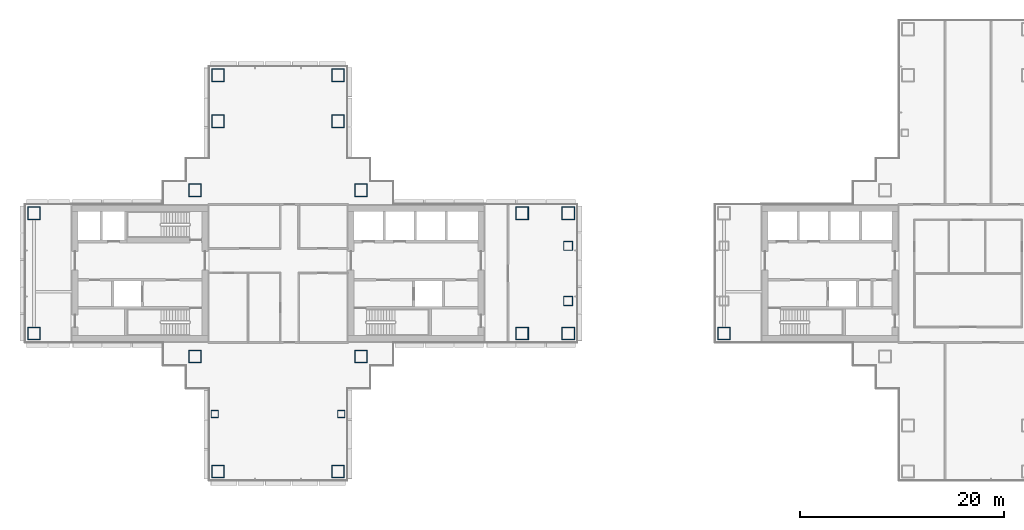
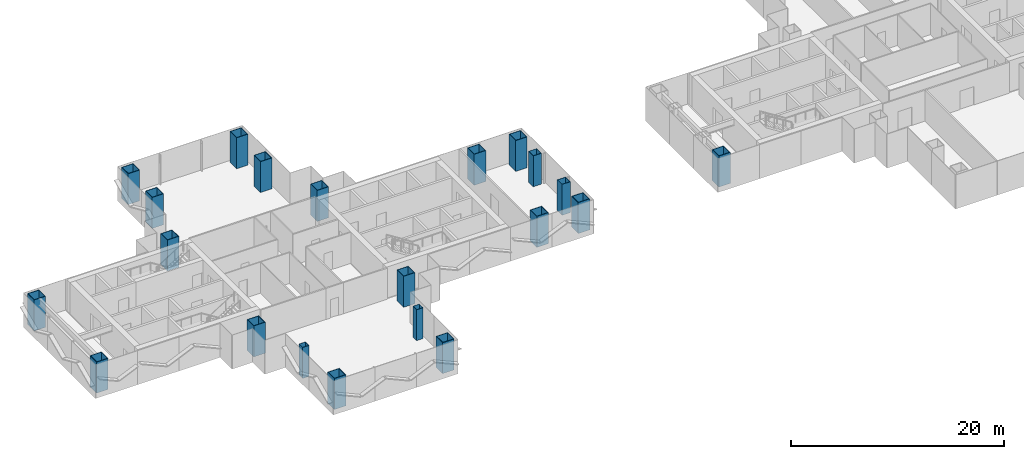
# One storey, part 1 of 18: 21 columns.
"""IFC4 building model written with IfcOpenShell, lengths in metres."""

import ifcopenshell
import ifcopenshell.guid

model = None  # the IFC model being written
_history = None  # IfcOwnerHistory: only IFC2X3 demands one
_inside = {}  # id of a spatial element -> (the spatial element, [elements in it])
_under = {}  # id of a project, library or spatial element -> (it, [spatial elements below it])
_declared = {}  # id of a project -> (the project, [libraries it declares])
_typed = {}  # id of a type object -> (the type object, [elements of that type])
_made_of = {}  # id of a material, layer set ... -> (it, [elements and type objects made of it])


def new_model(schema):
    """Start an empty IFC model of exactly this schema.

    Asked for "IFC4X3", IfcOpenShell would pick the latest addendum, in which some entities
    have other attributes; the version numbers below select the first issue.
    IFC2X3 requires an IfcOwnerHistory on every rooted entity: one is made here for all.
    """
    global model, _history
    if schema == "IFC4X3":
        model = ifcopenshell.file(schema_version=(4, 3, 0, 0))
    else:
        model = ifcopenshell.file(schema=schema)
    _inside.clear()
    _under.clear()
    _declared.clear()
    _typed.clear()
    _made_of.clear()
    _history = None
    if model.schema == "IFC2X3":
        org = make("IfcOrganization", Name="unknown")
        user = make(
            "IfcPersonAndOrganization",
            ThePerson=make("IfcPerson", FamilyName="unknown"),
            TheOrganization=org,
        )
        app = make(
            "IfcApplication",
            ApplicationDeveloper=org,
            Version="unknown",
            ApplicationFullName="unknown",
            ApplicationIdentifier="unknown",
        )
        _history = make(
            "IfcOwnerHistory",
            OwningUser=user,
            OwningApplication=app,
            ChangeAction="ADDED",
            CreationDate=0,
        )
    return model


def make(cls, **values):
    """One entity of the class cls with the attributes given. An attribute that is None is left unset."""
    return model.create_entity(
        cls, **{name: value for name, value in values.items() if value is not None}
    )


def rooted(cls, **values):
    """An entity with a GlobalId (a new one), such as an element, a storey or a relation."""
    return make(cls, GlobalId=ifcopenshell.guid.new(), OwnerHistory=_history, **values)


def si_unit(unit_type, name, prefix=None):
    """IfcSIUnit, for example si_unit("LENGTHUNIT", "METRE", prefix="MILLI")."""
    return make("IfcSIUnit", UnitType=unit_type, Prefix=prefix, Name=name)


def assignment(units):
    """IfcUnitAssignment: the units of a project."""
    return None if units is None else make("IfcUnitAssignment", Units=units)


def point(xyz):
    """IfcCartesianPoint."""
    return None if xyz is None else make("IfcCartesianPoint", Coordinates=xyz)


def direction(xyz):
    """IfcDirection."""
    return None if xyz is None else make("IfcDirection", DirectionRatios=xyz)


def frame(location, z_axis=None, x_axis=None):
    """IfcAxis2Placement3D, a coordinate frame: its origin and axes. An axis left out is left unset."""
    return make(
        "IfcAxis2Placement3D",
        Location=point(location),
        Axis=direction(z_axis),
        RefDirection=direction(x_axis),
    )


def frame_2d(location, x_axis=None):
    """IfcAxis2Placement2D, a coordinate frame in the plane: its origin and x axis."""
    return make(
        "IfcAxis2Placement2D", Location=point(location), RefDirection=direction(x_axis)
    )


def origin():
    """The frame at (0, 0, 0) with its axes left unset."""
    return frame((0.0, 0.0, 0.0))


def origin_2d():
    """The frame at (0, 0) in the plane with its x axis left unset."""
    return frame_2d((0.0, 0.0))


def place(relative_to, where):
    """IfcLocalPlacement: puts the frame where relative to a parent placement (None: the world)."""
    return make(
        "IfcLocalPlacement", PlacementRelTo=relative_to, RelativePlacement=where
    )


def context(
    kind, dimensions, precision=None, world=None, true_north=None, identifier=None
):
    """IfcGeometricRepresentationContext, for example the 3D "Model" context."""
    return make(
        "IfcGeometricRepresentationContext",
        ContextIdentifier=identifier,
        ContextType=kind,
        CoordinateSpaceDimension=dimensions,
        Precision=precision,
        WorldCoordinateSystem=world,
        TrueNorth=true_north,
    )


def subcontext(parent, identifier, kind, view, scale=None):
    """IfcGeometricRepresentationSubContext, for example "Body" below "Model"."""
    return make(
        "IfcGeometricRepresentationSubContext",
        ContextIdentifier=identifier,
        ContextType=kind,
        ParentContext=parent,
        TargetScale=scale,
        TargetView=view,
    )


def project(units=None, contexts=None):
    """IfcProject with its units and contexts."""
    return rooted(
        "IfcProject",
        Name="project",
        RepresentationContexts=contexts,
        UnitsInContext=assignment(units),
    )


def spatial(cls, under=None, at=None, **own):
    """A site, building, storey or space (cls), placed at a placement, below another one or the project."""
    s = rooted(cls, ObjectPlacement=at, **own)
    if under is not None:
        _under.setdefault(under.id(), (under, []))[1].append(s)
    return s


def profile(cls, at=None, kind="AREA", **sizes):
    """A parametric profile (cls). Its sizes go by their IFC names, for example OverallWidth=200.0."""
    return make(cls, ProfileType=kind, Position=at, **sizes)


def hollow_rectangle(**sizes):
    """IfcRectangleHollowProfileDef."""
    return profile("IfcRectangleHollowProfileDef", **sizes)


def extrude(swept, where, along, depth):
    """IfcExtrudedAreaSolid: the profile swept, set in the frame where, extruded along a direction by depth."""
    return make(
        "IfcExtrudedAreaSolid",
        SweptArea=swept,
        Position=where,
        ExtrudedDirection=direction(along),
        Depth=depth,
    )


def shape(context_of_items, identifier, shape_type, items):
    """IfcShapeRepresentation: the items that make up one representation, for example the "Body"."""
    return make(
        "IfcShapeRepresentation",
        ContextOfItems=context_of_items,
        RepresentationIdentifier=identifier,
        RepresentationType=shape_type,
        Items=items,
    )


def material(Name=None, Category=None):
    """IfcMaterial."""
    return make("IfcMaterial", Name=Name, Category=Category)


def material_profile(
    of_material, cross_section, Name=None, Category=None, Priority=None
):
    """IfcMaterialProfile: a cross section and its material."""
    return make(
        "IfcMaterialProfile",
        Name=Name,
        Material=of_material,
        Profile=cross_section,
        Priority=Priority,
        Category=Category,
    )


def profile_set(profiles, Name=None, composite=None):
    """IfcMaterialProfileSet."""
    return make(
        "IfcMaterialProfileSet",
        Name=Name,
        MaterialProfiles=profiles,
        CompositeProfile=composite,
    )


def made_of(thing, what):
    """Note that an element or type object is made of a material, layer set ...; save() writes the relation."""
    if what is not None:
        _made_of.setdefault(what.id(), (what, []))[1].append(thing)
    return thing


def type_object(cls, material=None, **own):
    """A type object (cls), such as IfcWallType, which elements share."""
    return made_of(rooted(cls, **own), material)


def element(
    cls,
    number,
    at=None,
    inside=None,
    cuts=None,
    type_object=None,
    material=None,
    context=None,
    identifier="Body",
    shape_type=None,
    held_by="IfcProductDefinitionShape",
    body=None,
    shapes=None,
    **own,
):
    """One element of the class cls, such as IfcWall. Its Tag is "e" and its number.

    at: its placement. inside: the storey or other place that contains it. cuts: it is an
    opening in that element (IfcRelVoidsElement). A single representation is given by context,
    identifier, shape_type and body (its items); several are given by shapes. held_by: the class
    of the entity that holds the representations. save() writes the other relations.
    """
    e = rooted(cls, Tag="e%d" % number, ObjectPlacement=at, **own)
    if body is not None:
        shapes = [shape(context, identifier, shape_type, body)]
    if shapes is not None:
        e.Representation = make(held_by, Representations=shapes)
    if inside is not None:
        _inside.setdefault(inside.id(), (inside, []))[1].append(e)
    if cuts is not None:
        rooted(
            "IfcRelVoidsElement", RelatingBuildingElement=cuts, RelatedOpeningElement=e
        )
    if type_object is not None:
        _typed.setdefault(type_object.id(), (type_object, []))[1].append(e)
    return made_of(e, material)


def aggregate(whole, parts):
    """IfcRelAggregates: a whole, such as a stair, and the parts it consists of."""
    return rooted("IfcRelAggregates", RelatingObject=whole, RelatedObjects=parts)


def save(model, path):
    """Write the relations noted so far, then the file.

    IfcRelAggregates (storeys below a building ...), IfcRelContainedInSpatialStructure (elements
    in a storey), IfcRelDefinesByType, IfcRelAssociatesMaterial and IfcRelDeclares: one each for
    every whole, place, type object, material and project.
    """
    for whole, parts in _under.values():
        aggregate(whole, parts)
    for where, things in _inside.values():
        rooted(
            "IfcRelContainedInSpatialStructure",
            RelatedElements=things,
            RelatingStructure=where,
        )
    for kind, things in _typed.values():
        rooted("IfcRelDefinesByType", RelatedObjects=things, RelatingType=kind)
    for what, things in _made_of.values():
        rooted("IfcRelAssociatesMaterial", RelatedObjects=things, RelatingMaterial=what)
    for by, libraries in _declared.values():
        rooted("IfcRelDeclares", RelatingContext=by, RelatedDefinitions=libraries)
    model.write(path)


model = new_model("IFC4")

# Units and contexts
model_context = context("Model", 3, precision=1e-05, world=origin(), true_north=direction((0.0, 1.0)))
body_context = subcontext(model_context, "Body", "Model", "MODEL_VIEW")
ifc_project = project(units=[si_unit("LENGTHUNIT", "METRE"), si_unit("AREAUNIT", "SQUARE_METRE"), si_unit("VOLUMEUNIT", "CUBIC_METRE"), si_unit("PLANEANGLEUNIT", "RADIAN"), si_unit("MASSUNIT", "GRAM", prefix="KILO")], contexts=[model_context])

# Site, building, storey
site_placement = place(None, origin())
site = spatial("IfcSite", under=ifc_project, at=site_placement, CompositionType="ELEMENT")
building_placement = place(site_placement, origin())
building = spatial("IfcBuilding", under=site, at=building_placement, Name="Shamsa Quay Exchange Towers", CompositionType="ELEMENT")
storey_placement = place(building_placement, frame((0.0, 0.0, 117.0)))
storey = spatial("IfcBuildingStorey", under=building, at=storey_placement, Name="L27", CompositionType="ELEMENT", Elevation=117.0)

# Columns
ifc_material_1 = material(Name="Concrete-filled steel tube S355 / C80/95", Category="concrete")
ifc_material_profile_1 = material_profile(ifc_material_1, hollow_rectangle(XDim=1.25, YDim=1.25, WallThickness=0.050048828125, at=origin_2d()), Name="CFT 1250x1250x50")
ifc_profile_set_1 = profile_set([ifc_material_profile_1], Name="Concrete-filled steel tube S355 / C80/95")
column_type_1 = type_object("IfcColumnType", Name="Column CFT 1250x1250x50", PredefinedType="COLUMN", material=ifc_profile_set_1)
for number, where, name in (
    (1, (-25.625, 8.125, 0.0), "Mega column T1-CM01"),
    (2, (-25.625, -8.125, 0.0), "Mega column T1-CM02"),
    (3, (-41.875, 8.125, 0.0), "Mega column T1-CM03"),
    (4, (-41.875, -8.125, 0.0), "Mega column T1-CM04"),
    (5, (-9.875, -5.875, 0.0), "Mega column T1-CM05"),
    (6, (-5.375, -5.875, 0.0), "Mega column T1-CM06"),
    (7, (-9.875, 5.875, 0.0), "Mega column T1-CM07"),
    (8, (-5.375, 5.875, 0.0), "Mega column T1-CM08"),
    (9, (-57.625, -5.875, 0.0), "Mega column T1-CM09"),
    (10, (-57.625, 5.875, 0.0), "Mega column T1-CM11"),
    (11, (-39.625, 14.875, 0.0), "Mega column T1-CM13"),
    (12, (-39.625, 19.375, 0.0), "Mega column T1-CM14"),
    (13, (-27.875, 14.875, 0.0), "Mega column T1-CM16"),
    (14, (-27.875, 19.375, 0.0), "Mega column T1-CM17"),
    (15, (-39.625, -19.375, 0.0), "Mega column T1-CM20"),
    (16, (-27.875, -19.375, 0.0), "Mega column T1-CM23"),
    (17, (9.875, -5.875, 0.0), "Mega column T2-CM19"),
):
    element("IfcColumn", number, at=place(storey_placement, frame(where)), inside=storey, type_object=column_type_1, Name=name, PredefinedType="COLUMN", context=body_context, shape_type="SweptSolid", body=[
        extrude(hollow_rectangle(XDim=1.25, YDim=1.25, WallThickness=0.050048828125, at=origin_2d()), origin(), (0.0, 0.0, 1.0), 3.550048828125),
    ])
ifc_material_2 = material(Name="Concrete-filled steel tube S355 / C60/75", Category="concrete")
ifc_material_profile_2 = material_profile(ifc_material_2, hollow_rectangle(XDim=0.699951171875, YDim=0.699951171875, WallThickness=0.02490234375, at=origin_2d()), Name="CFT 700x700x25")
ifc_profile_set_2 = profile_set([ifc_material_profile_2], Name="Concrete-filled steel tube S355 / C60/75")
column_type_2 = type_object("IfcColumnType", Name="Column CFT 700x700x25", PredefinedType="COLUMN", material=ifc_profile_set_2)
for number, where, name in (
    (18, (-39.9375, -13.75, 0.0), "Perimeter column T1-CP19"),
    (19, (-27.5625, -13.75, 0.0), "Perimeter column T1-CP22"),
):
    element("IfcColumn", number, at=place(storey_placement, frame(where)), inside=storey, type_object=column_type_2, Name=name, PredefinedType="COLUMN", context=body_context, shape_type="SweptSolid", body=[
        extrude(hollow_rectangle(XDim=0.699951171875, YDim=0.699951171875, WallThickness=0.02490234375, at=origin_2d()), origin(), (0.0, 0.0, 1.0), 3.550048828125),
    ])
ifc_material_3 = material(Name="Concrete-filled steel tube S355 / C70/85", Category="concrete")
ifc_material_profile_3 = material_profile(ifc_material_3, hollow_rectangle(XDim=0.89990234375, YDim=0.89990234375, WallThickness=0.035888671875, at=origin_2d()), Name="CFT 900x900x36")
ifc_profile_set_3 = profile_set([ifc_material_profile_3], Name="Concrete-filled steel tube S355 / C70/85")
column_type_3 = type_object("IfcColumnType", Name="Landing column CFT 900x900x36", PredefinedType="COLUMN", material=ifc_profile_set_3)
for number, where, name in (
    (20, (-5.375, -2.699951171875, 0.0), "Landing column T1 S"),
    (21, (-5.375, 2.699951171875, 0.0), "Landing column T1 N"),
):
    element("IfcColumn", number, at=place(storey_placement, frame(where)), inside=storey, type_object=column_type_3, Name=name, PredefinedType="COLUMN", context=body_context, shape_type="SweptSolid", body=[
        extrude(hollow_rectangle(XDim=0.89990234375, YDim=0.89990234375, WallThickness=0.035888671875, at=origin_2d()), origin(), (0.0, 0.0, 1.0), 3.550048828125),
    ])

save(model, "model.ifc")
